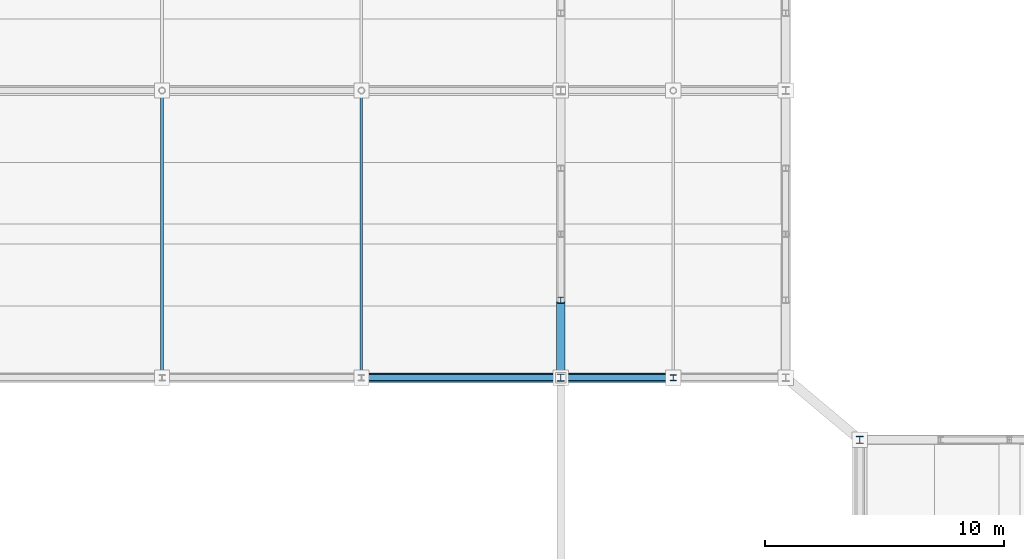
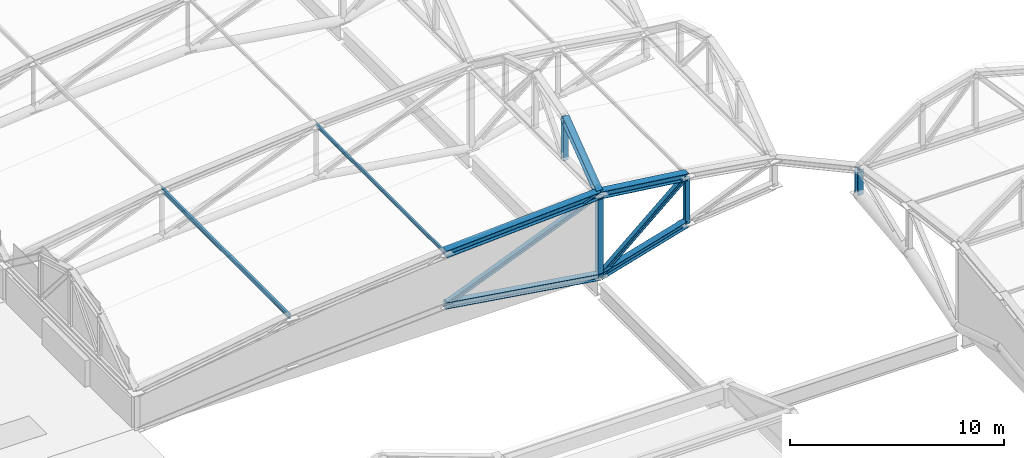
# One storey, part 12 of 117: 13 members.
"""IFC4 building model written with IfcOpenShell, lengths in metres."""

from ifc_helpers import new_model, si_unit, direction, frame, origin, origin_2d, place, context, subcontext, project, spatial, i_section, extrude, material, material_profile, profile_set, type_object, element, save


model = new_model("IFC4")

# Units and contexts
model_context = context("Model", 3, precision=1e-05, world=origin(), true_north=direction((0.0, 1.0)))
body_context = subcontext(model_context, "Body", "Model", "MODEL_VIEW")
ifc_project = project(units=[si_unit("LENGTHUNIT", "METRE"), si_unit("AREAUNIT", "SQUARE_METRE"), si_unit("VOLUMEUNIT", "CUBIC_METRE"), si_unit("PLANEANGLEUNIT", "RADIAN"), si_unit("MASSUNIT", "GRAM", prefix="KILO")], contexts=[model_context])

# Site, building, storey
site_placement = place(None, origin())
site = spatial("IfcSite", under=ifc_project, at=site_placement, CompositionType="ELEMENT")
building_placement = place(site_placement, origin())
building = spatial("IfcBuilding", under=site, at=building_placement, Name="Kazenohara Klinker Stadium", CompositionType="ELEMENT")
storey_placement = place(building_placement, frame((0.0, 0.0, 31.199951171875)))
storey = spatial("IfcBuildingStorey", under=building, at=storey_placement, Name="RF", CompositionType="ELEMENT", Elevation=31.199951171875)

# Members
ifc_material = material(Name="Steel S355", Category="steel")
ifc_material_profile_1 = material_profile(ifc_material, i_section(OverallWidth=0.25, OverallDepth=0.25, WebThickness=0.009033203125, FlangeThickness=0.013916015625, FilletRadius=0.012939453125, at=origin_2d()), Name="H-250x250x9x14")
ifc_profile_set_1 = profile_set([ifc_material_profile_1], Name="Steel S355")
member_type_1 = type_object("IfcMemberType", Name="MEM-BRC02", PredefinedType="BRACE", material=ifc_profile_set_1)
member_1_placement = place(storey_placement, frame((40.666748046875, 48.0, 1.25), z_axis=(0.925893541001, 0.0, 0.377784529503), x_axis=(0.0, 1.0, 0.0)))
element("IfcMember", 1, at=member_1_placement, inside=storey, type_object=member_type_1, Name="ROOF TRUSS RT-W01 web diagonal 3", PredefinedType="BRACE", context=body_context, shape_type="SweptSolid", body=[
    extrude(i_section(OverallWidth=0.25, OverallDepth=0.25, WebThickness=0.009033203125, FlangeThickness=0.013916015625, FilletRadius=0.012939453125, at=origin_2d()), origin(), (0.0, 0.0, 1.0), 9.000244140625),
])
member_2_placement = place(storey_placement, frame((49.0, 48.0, -0.02001953125), z_axis=(0.755945561544, 0.0, 0.65463448426), x_axis=(0.0, 1.0, 0.0)))
element("IfcMember", 2, at=member_2_placement, inside=storey, type_object=member_type_1, Name="ROOF TRUSS RT-W01 web diagonal 4", PredefinedType="BRACE", context=body_context, shape_type="SweptSolid", body=[
    extrude(i_section(OverallWidth=0.25, OverallDepth=0.25, WebThickness=0.009033203125, FlangeThickness=0.013916015625, FilletRadius=0.012939453125, at=origin_2d()), origin(), (0.0, 0.0, 1.0), 6.21728515625),
])
ifc_material_profile_2 = material_profile(ifc_material, i_section(OverallWidth=0.39990234375, OverallDepth=0.39990234375, WebThickness=0.012939453125, FlangeThickness=0.02099609375, FilletRadius=0.02197265625, at=origin_2d()), Name="H-400x400x13x21")
ifc_profile_set_2 = profile_set([ifc_material_profile_2], Name="Steel S355")
member_type_2 = type_object("IfcMemberType", Name="MEM-CHD01", PredefinedType="CHORD", material=ifc_profile_set_2)
member_3_placement = place(storey_placement, frame((40.666748046875, 48.0, 4.199951171875), z_axis=(0.99854389216, 0.0, 0.053945300359), x_axis=(0.0, 1.0, 0.0)))
element("IfcMember", 3, at=member_3_placement, inside=storey, type_object=member_type_2, Name="ROOF TRUSS RT-W01 top arched chord 3", PredefinedType="CHORD", context=body_context, shape_type="SweptSolid", body=[
    extrude(i_section(OverallWidth=0.39990234375, OverallDepth=0.39990234375, WebThickness=0.012939453125, FlangeThickness=0.02099609375, FilletRadius=0.02197265625, at=origin_2d()), origin(), (0.0, 0.0, 1.0), 8.345458984375),
])
member_4_placement = place(storey_placement, frame((49.0, 48.0, 4.650146484375), z_axis=(0.99194702514, 0.0, -0.126653461524), x_axis=(0.0, 1.0, 0.0)))
element("IfcMember", 4, at=member_4_placement, inside=storey, type_object=member_type_2, Name="ROOF TRUSS RT-W01 top arched chord 4", PredefinedType="CHORD", context=body_context, shape_type="SweptSolid", body=[
    extrude(i_section(OverallWidth=0.39990234375, OverallDepth=0.39990234375, WebThickness=0.012939453125, FlangeThickness=0.02099609375, FilletRadius=0.02197265625, at=origin_2d()), origin(), (0.0, 0.0, 1.0), 4.738037109375),
])
ifc_material_profile_3 = material_profile(ifc_material, i_section(OverallWidth=0.35009765625, OverallDepth=0.35009765625, WebThickness=0.011962890625, FlangeThickness=0.01904296875, FilletRadius=0.012939453125, at=origin_2d()), Name="H-350x350x12x19")
ifc_profile_set_3 = profile_set([ifc_material_profile_3], Name="Steel S355")
member_type_3 = type_object("IfcMemberType", Name="MEM-CHD02", PredefinedType="CHORD", material=ifc_profile_set_3)
member_5_placement = place(storey_placement, frame((40.666748046875, 48.0, 1.25), z_axis=(0.988585006916, 0.0, -0.15066414338), x_axis=(0.0, 1.0, 0.0)))
element("IfcMember", 5, at=member_5_placement, inside=storey, type_object=member_type_3, Name="ROOF TRUSS RT-W01 bottom arched chord 3", PredefinedType="CHORD", context=body_context, shape_type="SweptSolid", body=[
    extrude(i_section(OverallWidth=0.35009765625, OverallDepth=0.35009765625, WebThickness=0.011962890625, FlangeThickness=0.01904296875, FilletRadius=0.012939453125, at=origin_2d()), origin(), (0.0, 0.0, 1.0), 8.429443359375),
])
member_6_placement = place(storey_placement, frame((49.0, 48.0, -0.02001953125), z_axis=(0.960038530088, 0.0, 0.279867863012), x_axis=(0.0, 1.0, 0.0)))
element("IfcMember", 6, at=member_6_placement, inside=storey, type_object=member_type_3, Name="ROOF TRUSS RT-W01 bottom arched chord 4", PredefinedType="CHORD", context=body_context, shape_type="SweptSolid", body=[
    extrude(i_section(OverallWidth=0.35009765625, OverallDepth=0.35009765625, WebThickness=0.011962890625, FlangeThickness=0.01904296875, FilletRadius=0.012939453125, at=origin_2d()), origin(), (0.0, 0.0, 1.0), 4.8955078125),
])
member_7_placement = place(storey_placement, frame((49.0, 48.0, 4.650146484375), z_axis=(0.0, 0.803567919639, 0.595213069856), x_axis=(-1.0, 0.0, 0.0)))
element("IfcMember", 7, at=member_7_placement, inside=storey, type_object=member_type_3, Name="Barrel arch top rib TC02 W-01-N3-S1", PredefinedType="CHORD", context=body_context, shape_type="SweptSolid", body=[
    extrude(i_section(OverallWidth=0.35009765625, OverallDepth=0.35009765625, WebThickness=0.011962890625, FlangeThickness=0.01904296875, FilletRadius=0.012939453125, at=origin_2d()), origin(), (0.0, 0.0, 1.0), 4.031982421875),
])
ifc_material_profile_4 = material_profile(ifc_material, i_section(OverallWidth=0.125, OverallDepth=0.25, WebThickness=0.006103515625, FlangeThickness=0.009033203125, FilletRadius=0.008056640625, at=origin_2d()), Name="H-250x125x6x9")
ifc_profile_set_4 = profile_set([ifc_material_profile_4], Name="Steel S355")
member_type_4 = type_object("IfcMemberType", Name="MEM-PUR01", PredefinedType="PURLIN", material=ifc_profile_set_4)
member_8_placement = place(storey_placement, frame((32.333251953125, 48.0, 3.469970703125), z_axis=(0.0, 1.0, 0.0), x_axis=(-1.0, 0.0, 0.0)))
element("IfcMember", 8, at=member_8_placement, inside=storey, type_object=member_type_4, Name="Canopy valley tie purlin PR01 W-01-N1", PredefinedType="PURLIN", context=body_context, shape_type="SweptSolid", body=[
    extrude(i_section(OverallWidth=0.125, OverallDepth=0.25, WebThickness=0.006103515625, FlangeThickness=0.009033203125, FilletRadius=0.008056640625, at=origin_2d()), origin(), (0.0, 0.0, 1.0), 12.0),
])
ifc_material_profile_5 = material_profile(ifc_material, i_section(OverallWidth=0.10009765625, OverallDepth=0.199951171875, WebThickness=0.005615234375, FlangeThickness=0.008056640625, FilletRadius=0.008056640625, at=origin_2d()), Name="H-200x100x5.5x8")
ifc_profile_set_5 = profile_set([ifc_material_profile_5], Name="Steel S355")
member_type_5 = type_object("IfcMemberType", Name="MEM-PUR02", PredefinedType="PURLIN", material=ifc_profile_set_5)
member_9_placement = place(storey_placement, frame((40.666748046875, 48.0, 4.219970703125), z_axis=(0.0, 1.0, 0.0), x_axis=(-1.0, 0.0, 0.0)))
element("IfcMember", 9, at=member_9_placement, inside=storey, type_object=member_type_5, Name="Canopy valley tie purlin PR02 W-01-N2", PredefinedType="PURLIN", context=body_context, shape_type="SweptSolid", body=[
    extrude(i_section(OverallWidth=0.10009765625, OverallDepth=0.199951171875, WebThickness=0.005615234375, FlangeThickness=0.008056640625, FilletRadius=0.008056640625, at=origin_2d()), origin(), (0.0, 0.0, 1.0), 12.0),
])
ifc_material_profile_6 = material_profile(ifc_material, i_section(OverallWidth=0.300048828125, OverallDepth=0.300048828125, WebThickness=0.010009765625, FlangeThickness=0.014892578125, FilletRadius=0.012939453125, at=origin_2d()), Name="H-300x300x10x15")
ifc_profile_set_6 = profile_set([ifc_material_profile_6], Name="Steel S355")
member_type_6 = type_object("IfcMemberType", Name="MEM-STR01", PredefinedType="STRUT", material=ifc_profile_set_6)
member_10_placement = place(storey_placement, frame((49.0, 48.0, -0.02001953125), z_axis=(0.0, 0.0, 1.0), x_axis=(1.0, 0.0, 0.0)))
element("IfcMember", 10, at=member_10_placement, inside=storey, type_object=member_type_6, Name="ROOF TRUSS RT-W01 web post 4", PredefinedType="STRUT", context=body_context, shape_type="SweptSolid", body=[
    extrude(i_section(OverallWidth=0.300048828125, OverallDepth=0.300048828125, WebThickness=0.010009765625, FlangeThickness=0.014892578125, FilletRadius=0.012939453125, at=origin_2d()), origin(), (0.0, 0.0, 1.0), 4.670166015625),
])
member_11_placement = place(storey_placement, frame((61.5, 45.39990234375, 1.85009765625), z_axis=(0.0, 0.0, 1.0), x_axis=(1.0, 0.0, 0.0)))
element("IfcMember", 11, at=member_11_placement, inside=storey, type_object=member_type_6, Name="ROOF TRUSS RT-S01 web post 6", PredefinedType="STRUT", context=body_context, shape_type="SweptSolid", body=[
    extrude(i_section(OverallWidth=0.300048828125, OverallDepth=0.300048828125, WebThickness=0.010009765625, FlangeThickness=0.014892578125, FilletRadius=0.012939453125, at=origin_2d()), origin(), (0.0, 0.0, 1.0), 1.449951171875),
])
ifc_material_profile_7 = material_profile(ifc_material, i_section(OverallWidth=0.25, OverallDepth=0.25, WebThickness=0.009033203125, FlangeThickness=0.013916015625, FilletRadius=0.012939453125, at=origin_2d()), Name="H-250x250x9x14")
ifc_profile_set_7 = profile_set([ifc_material_profile_7], Name="Steel S355")
member_type_7 = type_object("IfcMemberType", Name="MEM-STR02", PredefinedType="STRUT", material=ifc_profile_set_7)
member_12_placement = place(storey_placement, frame((53.699951171875, 48.0, 1.35009765625), z_axis=(0.0, 0.0, 1.0), x_axis=(1.0, 0.0, 0.0)))
element("IfcMember", 12, at=member_12_placement, inside=storey, type_object=member_type_7, Name="ROOF TRUSS RT-W01 web post 5", PredefinedType="STRUT", context=body_context, shape_type="SweptSolid", body=[
    extrude(i_section(OverallWidth=0.25, OverallDepth=0.25, WebThickness=0.009033203125, FlangeThickness=0.013916015625, FilletRadius=0.012939453125, at=origin_2d()), origin(), (0.0, 0.0, 1.0), 2.699951171875),
])
member_13_placement = place(storey_placement, frame((49.0, 51.239990234375, 4.650146484375), z_axis=(0.0, 0.0, 1.0), x_axis=(1.0, 0.0, 0.0)))
element("IfcMember", 13, at=member_13_placement, inside=storey, type_object=member_type_7, Name="Barrel arch web post TS02 W-01-N3-P1", PredefinedType="STRUT", context=body_context, shape_type="SweptSolid", body=[
    extrude(i_section(OverallWidth=0.25, OverallDepth=0.25, WebThickness=0.009033203125, FlangeThickness=0.013916015625, FilletRadius=0.012939453125, at=origin_2d()), origin(), (0.0, 0.0, 1.0), 2.39990234375),
])

save(model, "model.ifc")
